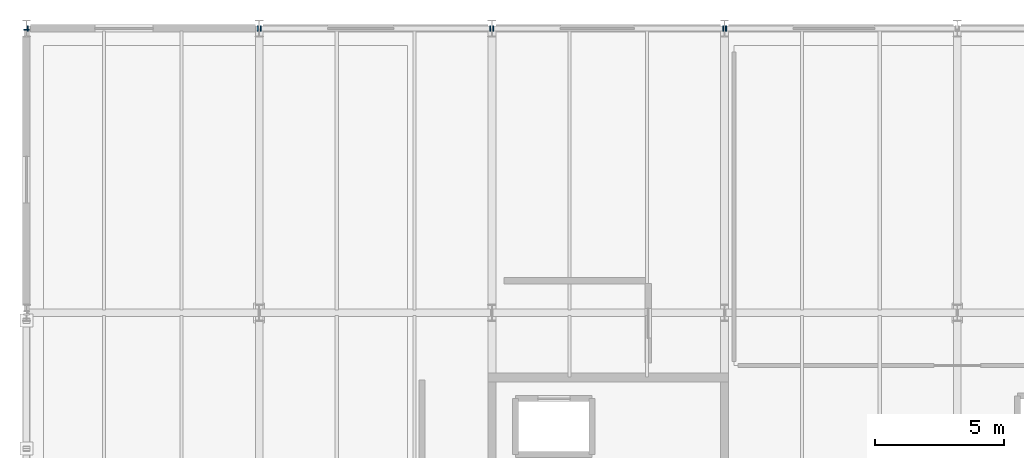
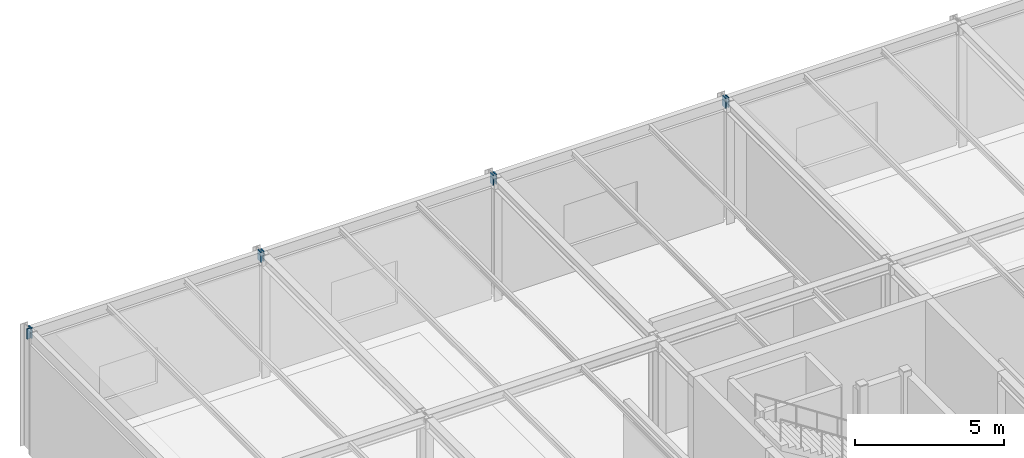
# One storey, part 166 of 195: 8 discrete accessories.
"""IFC4 building model written with IfcOpenShell, lengths in metres."""

from ifc_helpers import new_model, si_unit, direction, frame, origin, origin_2d, place, context, subcontext, project, spatial, rectangle, extrude, material, element, save


model = new_model("IFC4")

# Units and contexts
model_context = context("Model", 3, precision=1e-05, world=origin(), true_north=direction((0.0, 1.0)))
body_context = subcontext(model_context, "Body", "Model", "MODEL_VIEW")
ifc_project = project(units=[si_unit("LENGTHUNIT", "METRE"), si_unit("AREAUNIT", "SQUARE_METRE"), si_unit("VOLUMEUNIT", "CUBIC_METRE"), si_unit("PLANEANGLEUNIT", "RADIAN"), si_unit("MASSUNIT", "GRAM", prefix="KILO")], contexts=[model_context])

# Site, building, storey
site_placement = place(None, origin())
site = spatial("IfcSite", under=ifc_project, at=site_placement, CompositionType="ELEMENT")
building_placement = place(site_placement, origin())
building = spatial("IfcBuilding", under=site, at=building_placement, Name="Marlcrest Central Station", CompositionType="ELEMENT")
storey_placement = place(building_placement, frame((0.0, 0.0, 9.800048828125)))
storey = spatial("IfcBuildingStorey", under=building, at=storey_placement, Name="L02", CompositionType="ELEMENT", Elevation=9.800048828125)

# Discrete accessories
ifc_material = material(Name="Steel S355", Category="steel")
for number, where, z_axis, x_axis, name in (
    (1, (0.03515625, 132.0, 4.800048828125), (1.0, 0.0, 0.0), (0.0, 1.0, 0.0), "endcap-bm-SP-01-L02-00375-s"),
    (2, (8.925048828125, 132.0, 4.800048828125), (1.0, 0.0, 0.0), (0.0, 1.0, 0.0), "endcap-bm-SP-01-L02-00375-e"),
    (3, (9.03515625, 132.0, 4.800048828125), (1.0, 0.0, 0.0), (0.0, 1.0, 0.0), "endcap-bm-SP-01-L02-00376-s"),
    (4, (17.925048828125, 132.0, 4.800048828125), (1.0, 0.0, 0.0), (0.0, 1.0, 0.0), "endcap-bm-SP-01-L02-00376-e"),
    (5, (18.03515625, 132.0, 4.800048828125), (1.0, 0.0, 0.0), (0.0, 1.0, 0.0), "endcap-bm-SP-01-L02-00377-s"),
    (6, (26.925048828125, 132.0, 4.800048828125), (1.0, 0.0, 0.0), (0.0, 1.0, 0.0), "endcap-bm-SP-01-L02-00377-e"),
    (7, (27.03515625, 132.0, 4.800048828125), (1.0, 0.0, 0.0), (0.0, 1.0, 0.0), "endcap-bm-SP-01-L02-00378-s"),
    (8, (0.0, 131.925048828125, 4.800048828125), (0.0, 1.0, 0.0), (-1.0, 0.0, 0.0), "endcap-bm-SP-01-L02-00386-e"),
):
    element("IfcDiscreteAccessory", number, at=place(storey_placement, frame(where, z_axis=z_axis, x_axis=x_axis)), inside=storey, material=ifc_material, Name=name, ObjectType="END_CAP_PLATE", PredefinedType="BRACKET", context=body_context, shape_type="SweptSolid", body=[
        extrude(rectangle(XDim=0.216064453125, YDim=0.416015625, at=origin_2d()), origin(), (0.0, 0.0, 1.0), 0.0400390625),
    ])

save(model, "model.ifc")
